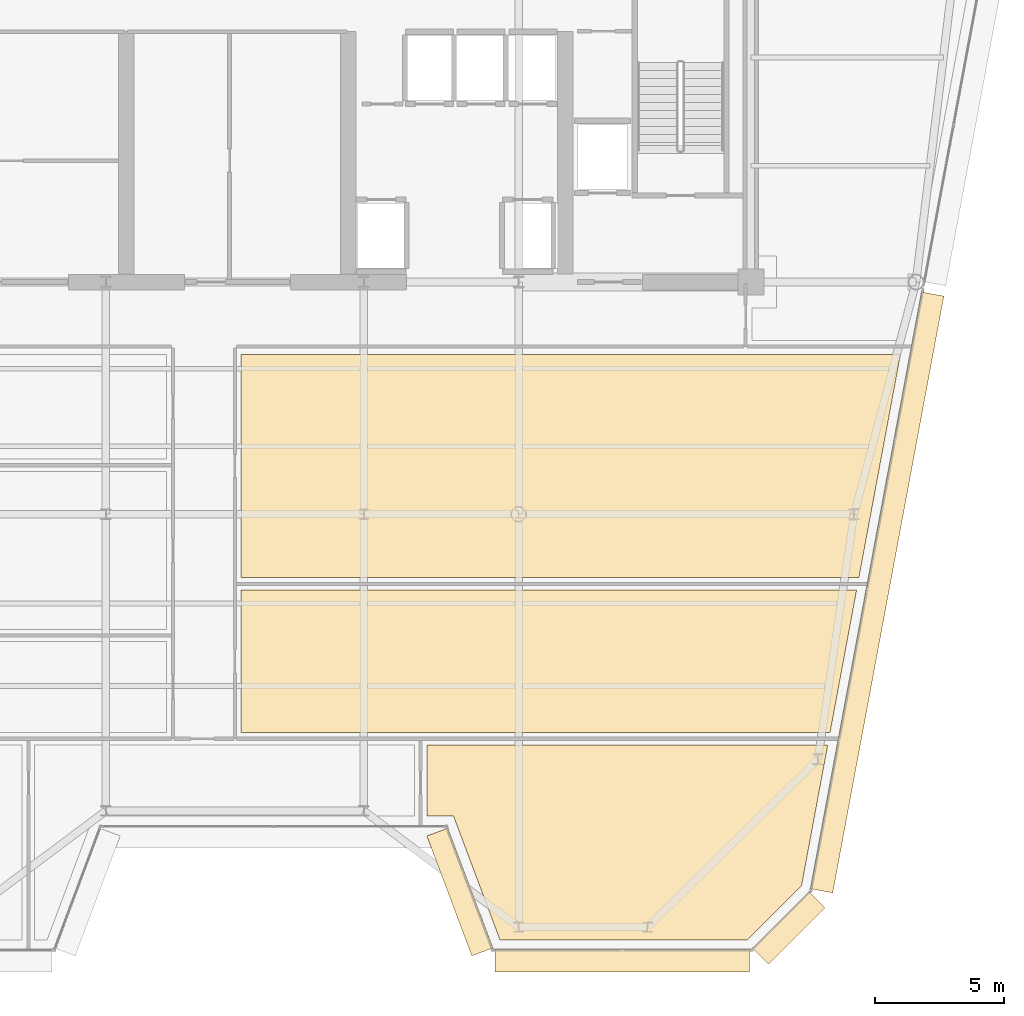
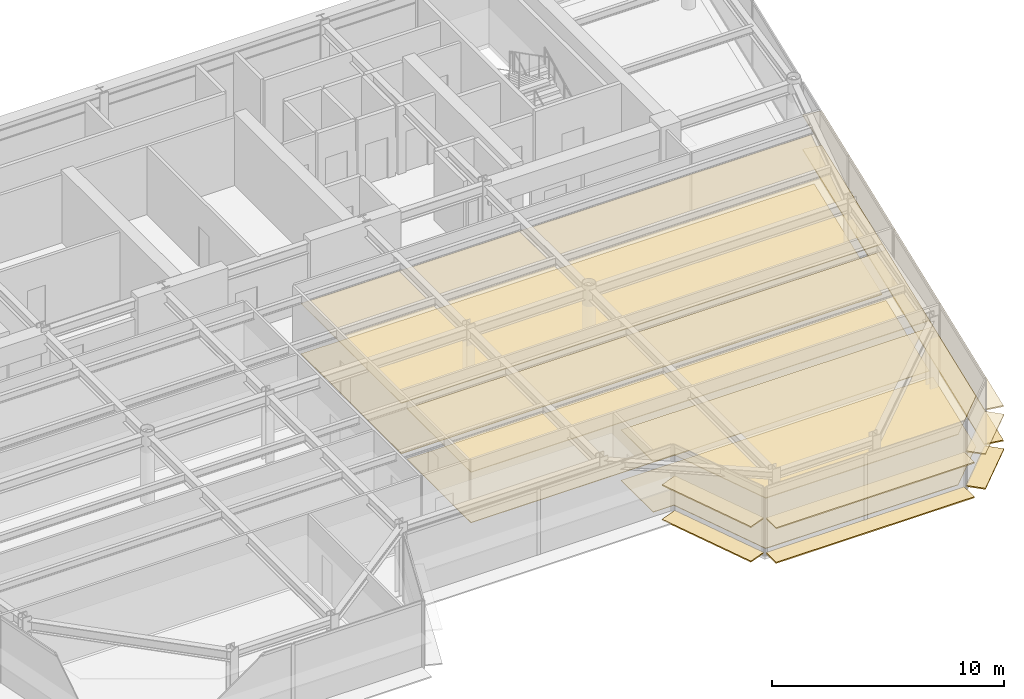
# One storey, part 14 of 18: 14 coverings.
"""IFC4 building model written with IfcOpenShell, lengths in metres."""

from ifc_helpers import new_model, si_unit, direction, frame, origin, origin_2d, place, context, subcontext, project, spatial, polyline, rectangle, outline, extrude, source, transform, mapped, material, layer, layer_set, type_object, element, save


model = new_model("IFC4")

# Units and contexts
model_context = context("Model", 3, precision=1e-05, world=origin(), true_north=direction((0.0, 1.0)))
body_context = subcontext(model_context, "Body", "Model", "MODEL_VIEW")
ifc_project = project(units=[si_unit("LENGTHUNIT", "METRE"), si_unit("AREAUNIT", "SQUARE_METRE"), si_unit("VOLUMEUNIT", "CUBIC_METRE"), si_unit("PLANEANGLEUNIT", "RADIAN"), si_unit("MASSUNIT", "GRAM", prefix="KILO")], contexts=[model_context])

# Site, building, storey
site_placement = place(None, origin())
site = spatial("IfcSite", under=ifc_project, at=site_placement, CompositionType="ELEMENT")
building_placement = place(site_placement, origin())
building = spatial("IfcBuilding", under=site, at=building_placement, Name="Vaeldorn Concourse Tower", CompositionType="ELEMENT")
storey_placement = place(building_placement, frame((0.0, 0.0, 242.199951171875)))
storey = spatial("IfcBuildingStorey", under=building, at=storey_placement, Name="L62", CompositionType="ELEMENT", Elevation=242.199951171875)

# Coverings
ifc_material_1 = material(Name="Acoustic Mineral Fibre Board", Category="gypsum")
ifc_layer_1 = layer(ifc_material_1, 0.0400390625)
ifc_layer_set_1 = layer_set([ifc_layer_1], Name="Acoustic Mineral Fibre Board")
covering_type_1 = type_object("IfcCoveringType", Name="COV-CEIL-ACOUSTIC", PredefinedType="CEILING", material=ifc_layer_set_1)
covering_1_placement = place(storey_placement, frame((0.0, 0.0, 2.650146484375)))
element("IfcCovering", 1, at=covering_1_placement, inside=storey, type_object=covering_type_1, Name="Suspended Acoustic Ceiling L62-8", PredefinedType="CEILING", context=body_context, shape_type="SweptSolid", body=[
    extrude(outline(polyline([(34.239990234375, 19.0400390625), (34.239990234375, 24.56005859375), (58.09814453125, 24.56005859375), (57.0703125, 19.0400390625), (34.239990234375, 19.0400390625)])), origin(), (0.0, 0.0, 1.0), 0.039794921875),
])
covering_2_placement = place(storey_placement, frame((0.0, 0.0, 2.650146484375)))
element("IfcCovering", 2, at=covering_2_placement, inside=storey, type_object=covering_type_1, Name="Suspended Acoustic Ceiling L62-9", PredefinedType="CEILING", context=body_context, shape_type="SweptSolid", body=[
    extrude(outline(polyline([(34.239990234375, 25.0400390625), (34.239990234375, 33.699951171875), (59.800048828125, 33.699951171875), (58.1875, 25.0400390625), (34.239990234375, 25.0400390625)])), origin(), (0.0, 0.0, 1.0), 0.039794921875),
])
covering_3_placement = place(storey_placement, frame((0.0, 0.0, 2.650146484375)))
element("IfcCovering", 3, at=covering_3_placement, inside=storey, type_object=covering_type_1, Name="Suspended Acoustic Ceiling L62-12", PredefinedType="CEILING", context=body_context, shape_type="SweptSolid", body=[
    extrude(outline(polyline([(41.43994140625, 15.800048828125), (41.43994140625, 18.56005859375), (56.98095703125, 18.56005859375), (56.936767578125, 18.322021484375), (56.8330078125, 17.76513671875), (56.455322265625, 15.735595703125), (56.455078125, 15.735595703125), (55.96337890625, 13.09521484375), (53.868408203125, 11.0), (44.277099609375, 11.0), (42.477294921875, 15.800048828125), (41.43994140625, 15.800048828125)])), origin(), (0.0, 0.0, 1.0), 0.039794921875),
])
ifc_material_2 = material(Name="Honed Limestone Terrazzo Flooring", Category="masonry")
ifc_layer_2 = layer(ifc_material_2, 0.0400390625)
ifc_layer_set_2 = layer_set([ifc_layer_2], Name="Honed Limestone Terrazzo Flooring")
covering_type_2 = type_object("IfcCoveringType", Name="COV-FLOOR-STONE", PredefinedType="FLOORING", material=ifc_layer_set_2)
covering_4_placement = place(storey_placement, origin())
element("IfcCovering", 4, at=covering_4_placement, inside=storey, type_object=covering_type_2, Name="Floor Finish Covering L62-8", PredefinedType="FLOORING", context=body_context, shape_type="SweptSolid", body=[
    extrude(outline(polyline([(34.239990234375, 19.0400390625), (34.239990234375, 24.56005859375), (58.09814453125, 24.56005859375), (57.0703125, 19.0400390625), (34.239990234375, 19.0400390625)])), origin(), (0.0, 0.0, 1.0), 0.030029296875),
])
covering_5_placement = place(storey_placement, origin())
element("IfcCovering", 5, at=covering_5_placement, inside=storey, type_object=covering_type_2, Name="Floor Finish Covering L62-9", PredefinedType="FLOORING", context=body_context, shape_type="SweptSolid", body=[
    extrude(outline(polyline([(34.239990234375, 25.0400390625), (34.239990234375, 33.699951171875), (59.800048828125, 33.699951171875), (58.1875, 25.0400390625), (34.239990234375, 25.0400390625)])), origin(), (0.0, 0.0, 1.0), 0.030029296875),
])
covering_6_placement = place(storey_placement, origin())
element("IfcCovering", 6, at=covering_6_placement, inside=storey, type_object=covering_type_2, Name="Floor Finish Covering L62-12", PredefinedType="FLOORING", context=body_context, shape_type="SweptSolid", body=[
    extrude(outline(polyline([(41.43994140625, 15.800048828125), (41.43994140625, 18.56005859375), (56.98095703125, 18.56005859375), (56.936767578125, 18.322021484375), (56.8330078125, 17.76513671875), (56.455322265625, 15.735595703125), (56.455078125, 15.735595703125), (55.96337890625, 13.09521484375), (53.868408203125, 11.0), (44.277099609375, 11.0), (42.477294921875, 15.800048828125), (41.43994140625, 15.800048828125)])), origin(), (0.0, 0.0, 1.0), 0.030029296875),
])
ifc_material_3 = material(Name="Anodised Bronze Aluminium", Category="aluminium")
ifc_layer_3 = layer(ifc_material_3, 0.06494140625)
ifc_layer_set_3 = layer_set([ifc_layer_3], Name="Anodised Bronze Aluminium")
covering_type_3 = type_object("IfcCoveringType", Name="SD-BRONZE-SUNSHADE", PredefinedType="USERDEFINED", material=ifc_layer_set_3)
shared_shape_1 = source(origin(), body_context, "Body", "SweptSolid", [
    extrude(rectangle(XDim=4.96630859375, YDim=0.8798828125, at=origin_2d()), origin(), (0.0, 0.0, 1.0), 0.06494140625),
])
for number, where, z_axis, x_axis, name in (
    (7, (42.7255859375, 12.859619140625, 0.047607421875), (0.0, 0.0, 1.0), (0.351122702609, -0.936329454686, 0.0), "Horizontal Bronze Sunshade L62-E04.1.1"),
    (8, (42.7255859375, 12.859619140625, 1.86767578125), (0.0, 0.0, 1.0), (0.351122702609, -0.936329454686, 0.0), "Horizontal Bronze Sunshade L62-E04.1.2"),
):
    element("IfcCovering", number, at=place(storey_placement, frame(where, z_axis=z_axis, x_axis=x_axis)), inside=storey, type_object=covering_type_3, Name=name, ObjectType="SUNSHADE", PredefinedType="USERDEFINED", context=body_context, shape_type="MappedRepresentation", body=[
        mapped(shared_shape_1, transform((0.0, 0.0, 0.0), scale=1.0)),
    ])
shared_shape_2 = source(origin(), body_context, "Body", "SweptSolid", [
    extrude(rectangle(XDim=3.0927734375, YDim=0.8798828125, at=origin_2d()), origin(), (0.0, 0.0, 1.0), 0.06494140625),
])
for number, where, z_axis, x_axis, name in (
    (9, (55.466796875, 11.46728515625, 0.047607421875), (0.0, 0.0, 1.0), (0.707106781187, 0.707106781187, 0.0), "Horizontal Bronze Sunshade L62-E06.1.1"),
    (10, (55.466796875, 11.46728515625, 1.86767578125), (0.0, 0.0, 1.0), (0.707106781187, 0.707106781187, 0.0), "Horizontal Bronze Sunshade L62-E06.1.2"),
):
    element("IfcCovering", number, at=place(storey_placement, frame(where, z_axis=z_axis, x_axis=x_axis)), inside=storey, type_object=covering_type_3, Name=name, ObjectType="SUNSHADE", PredefinedType="USERDEFINED", context=body_context, shape_type="MappedRepresentation", body=[
        mapped(shared_shape_2, transform((0.0, 0.0, 0.0), scale=1.0)),
    ])
shared_shape_3 = source(origin(), body_context, "Body", "SweptSolid", [
    extrude(rectangle(XDim=23.525146484375, YDim=0.8798828125, at=origin_2d()), origin(), (0.0, 0.0, 1.0), 0.06494140625),
])
for number, where, z_axis, x_axis, name in (
    (11, (58.89501953125, 24.46923828125, 0.047607421875), (0.0, 0.0, 1.0), (0.183059191151, 0.983101893262, 0.0), "Horizontal Bronze Sunshade L62-E07.1.1"),
    (12, (58.89501953125, 24.46923828125, 1.86767578125), (0.0, 0.0, 1.0), (0.183059191151, 0.983101893262, 0.0), "Horizontal Bronze Sunshade L62-E07.1.2"),
):
    element("IfcCovering", number, at=place(storey_placement, frame(where, z_axis=z_axis, x_axis=x_axis)), inside=storey, type_object=covering_type_3, Name=name, ObjectType="SUNSHADE", PredefinedType="USERDEFINED", context=body_context, shape_type="MappedRepresentation", body=[
        mapped(shared_shape_3, transform((0.0, 0.0, 0.0), scale=1.0)),
    ])
shared_shape_4 = source(origin(), body_context, "Body", "SweptSolid", [
    extrude(rectangle(XDim=9.8740234375, YDim=0.8798828125, at=origin_2d()), origin(), (0.0, 0.0, 1.0), 0.06494140625),
])
for number, where, z_axis, x_axis, name in (
    (13, (49.01708984375, 10.199951171875, 0.047607421875), (0.0, 0.0, 1.0), (1.0, 0.0, 0.0), "Horizontal Bronze Sunshade L62-E05.1.1"),
    (14, (49.01708984375, 10.199951171875, 1.86767578125), (0.0, 0.0, 1.0), (1.0, 0.0, 0.0), "Horizontal Bronze Sunshade L62-E05.1.2"),
):
    element("IfcCovering", number, at=place(storey_placement, frame(where, z_axis=z_axis, x_axis=x_axis)), inside=storey, type_object=covering_type_3, Name=name, ObjectType="SUNSHADE", PredefinedType="USERDEFINED", context=body_context, shape_type="MappedRepresentation", body=[
        mapped(shared_shape_4, transform((0.0, 0.0, 0.0), scale=1.0)),
    ])

save(model, "model.ifc")
